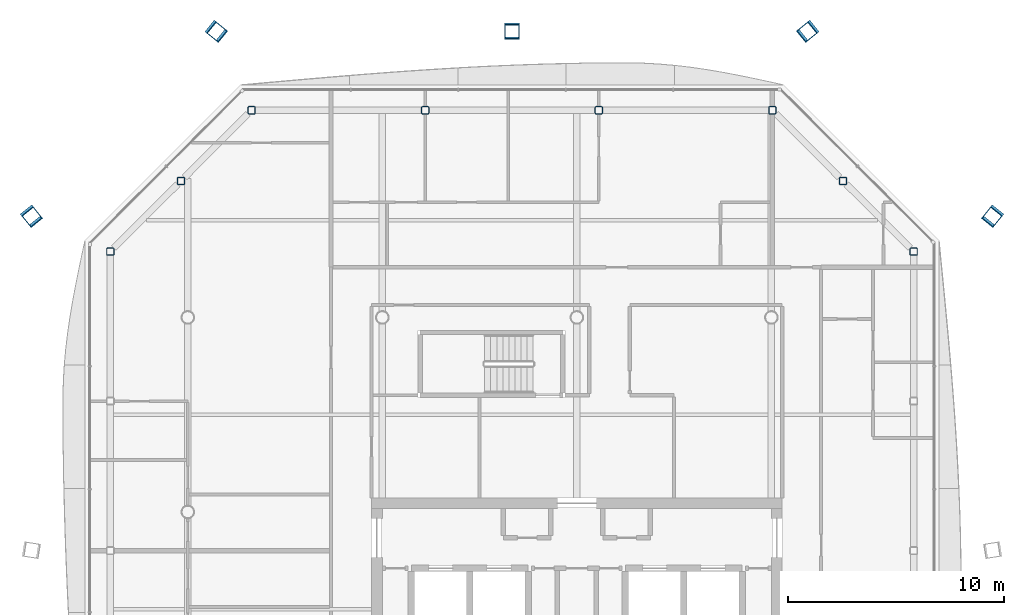
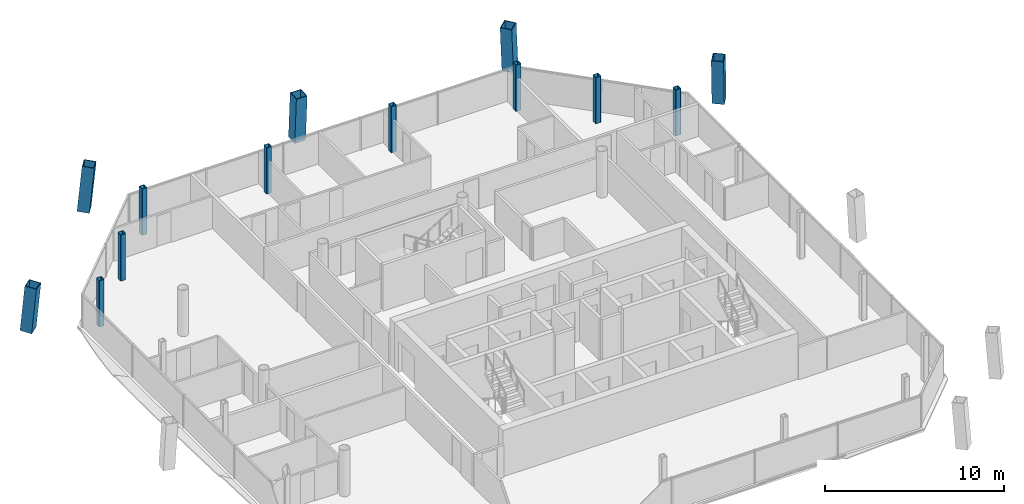
# One storey, part 2 of 19: 13 columns.
"""IFC4 building model written with IfcOpenShell, lengths in metres."""

from ifc_helpers import new_model, si_unit, direction, frame, origin, origin_2d, place, context, subcontext, project, spatial, hollow_rectangle, extrude, material, material_profile, profile_set, type_object, element, save


model = new_model("IFC4")

# Units and contexts
model_context = context("Model", 3, precision=1e-05, world=origin(), true_north=direction((0.0, 1.0)))
body_context = subcontext(model_context, "Body", "Model", "MODEL_VIEW")
ifc_project = project(units=[si_unit("LENGTHUNIT", "METRE"), si_unit("AREAUNIT", "SQUARE_METRE"), si_unit("VOLUMEUNIT", "CUBIC_METRE"), si_unit("PLANEANGLEUNIT", "RADIAN"), si_unit("MASSUNIT", "GRAM", prefix="KILO")], contexts=[model_context])

# Site, building, storey
site_placement = place(None, origin())
site = spatial("IfcSite", under=ifc_project, at=site_placement, CompositionType="ELEMENT")
building_placement = place(site_placement, origin())
building = spatial("IfcBuilding", under=site, at=building_placement, Name="Tskaro Facet Tower", CompositionType="ELEMENT")
storey_placement = place(building_placement, frame((0.0, 0.0, 206.85009765625)))
storey = spatial("IfcBuildingStorey", under=building, at=storey_placement, Name="L53", CompositionType="ELEMENT", Elevation=206.85009765625)

# Columns
ifc_material_1 = material(Name="Steel S460M", Category="steel")
ifc_material_profile_1 = material_profile(ifc_material_1, hollow_rectangle(XDim=0.699951171875, YDim=0.699951171875, WallThickness=0.044921875, at=origin_2d()), Name="BOX 700x700x45")
ifc_profile_set_1 = profile_set([ifc_material_profile_1], Name="Steel S460M")
column_type_1 = type_object("IfcColumnType", Name="BOX 700x700x45 mega column", PredefinedType="COLUMN", material=ifc_profile_set_1)
for number, where, z_axis, x_axis, name in (
    (1, (19.26806640625, 13.72412109375, 0.0), (-0.057849017136, -0.071801761107, 0.99573992504), (0.778707761143, -0.627386820659, 0.0), "BOX 700x700x45 MC06/4"),
    (2, (10.72412109375, 22.26806640625, 0.0), (-0.071801761107, -0.057849017136, 0.99573992504), (0.627386820659, -0.778707761143, 0.0), "BOX 700x700x45 MC07/4"),
):
    element("IfcColumn", number, at=place(storey_placement, frame(where, z_axis=z_axis, x_axis=x_axis)), inside=storey, type_object=column_type_1, Name=name, PredefinedType="COLUMN", context=body_context, shape_type="SweptSolid", body=[
        extrude(hollow_rectangle(XDim=0.699951171875, YDim=0.699951171875, WallThickness=0.044921875, at=origin_2d()), origin(), (0.0, 0.0, 1.0), 3.114501953125),
    ])
column_placement = place(storey_placement, frame((-3.0, 22.26806640625, 0.0), z_axis=(0.0, -0.057998041735, 0.998316696823), x_axis=(1.0, 0.0, 0.0)))
element("IfcColumn", 3, at=column_placement, inside=storey, type_object=column_type_1, Name="BOX 700x700x45 MC08/4", PredefinedType="COLUMN", context=body_context, shape_type="SweptSolid", body=[
    extrude(hollow_rectangle(XDim=0.699951171875, YDim=0.699951171875, WallThickness=0.044921875, at=origin_2d()), origin(), (0.0, 0.0, 1.0), 3.12353515625),
])
for number, where, z_axis, x_axis, name in (
    (4, (-16.72412109375, 22.26806640625, 0.0), (0.071801761107, -0.057849017136, 0.99573992504), (0.627386820659, 0.778707761143, 0.0), "BOX 700x700x45 MC09/4"),
    (5, (-25.26806640625, 13.72412109375, 0.0), (0.057849017136, -0.071801761107, 0.99573992504), (0.778707761143, 0.627386820659, 0.0), "BOX 700x700x45 MC10/4"),
):
    element("IfcColumn", number, at=place(storey_placement, frame(where, z_axis=z_axis, x_axis=x_axis)), inside=storey, type_object=column_type_1, Name=name, PredefinedType="COLUMN", context=body_context, shape_type="SweptSolid", body=[
        extrude(hollow_rectangle(XDim=0.699951171875, YDim=0.699951171875, WallThickness=0.044921875, at=origin_2d()), origin(), (0.0, 0.0, 1.0), 3.114501953125),
    ])
ifc_material_2 = material(Name="Steel S355J2H", Category="steel")
ifc_material_profile_2 = material_profile(ifc_material_2, hollow_rectangle(XDim=0.35009765625, YDim=0.35009765625, WallThickness=0.02001953125, InnerFilletRadius=0.030029296875, OuterFilletRadius=0.050048828125, at=origin_2d()), Name="SHS 350x350x20")
ifc_profile_set_2 = profile_set([ifc_material_profile_2], Name="Steel S355J2H")
column_type_2 = type_object("IfcColumnType", Name="SHS 350x350x20 ring column", PredefinedType="COLUMN", material=ifc_profile_set_2)
for number, where, z_axis, x_axis, name in (
    (6, (15.5830078125, 12.0458984375, 0.0), (0.0, 0.0, 1.0), (1.0, 0.0, 0.0), "SHS 350x350x20 RNE-1/4"),
    (7, (12.31396484375, 15.31396484375, 0.0), (0.0, 0.0, 1.0), (1.0, 0.0, 0.0), "SHS 350x350x20 RNE-2/4"),
    (8, (9.0458984375, 18.5830078125, 0.0), (0.0, 0.0, 1.0), (1.0, 0.0, 0.0), "SHS 350x350x20 RN-1/4"),
    (9, (1.014892578125, 18.5830078125, 0.0), (0.0, 0.0, 1.0), (1.0, 0.0, 0.0), "SHS 350x350x20 RN-2/4"),
    (10, (-7.014892578125, 18.5830078125, 0.0), (0.0, 0.0, 1.0), (1.0, 0.0, 0.0), "SHS 350x350x20 RN-3/4"),
    (11, (-15.0458984375, 18.5830078125, 0.0), (0.0, 0.0, 1.0), (1.0, 0.0, 0.0), "SHS 350x350x20 RNW-1/4"),
    (12, (-18.31396484375, 15.31396484375, 0.0), (0.0, 0.0, 1.0), (1.0, 0.0, 0.0), "SHS 350x350x20 RNW-2/4"),
    (13, (-21.5830078125, 12.0458984375, 0.0), (0.0, 0.0, 1.0), (1.0, 0.0, 0.0), "SHS 350x350x20 RW-1/4"),
):
    element("IfcColumn", number, at=place(storey_placement, frame(where, z_axis=z_axis, x_axis=x_axis)), inside=storey, type_object=column_type_2, Name=name, PredefinedType="COLUMN", context=body_context, shape_type="SweptSolid", body=[
        extrude(hollow_rectangle(XDim=0.35009765625, YDim=0.35009765625, WallThickness=0.02001953125, InnerFilletRadius=0.030029296875, OuterFilletRadius=0.050048828125, at=origin_2d()), origin(), (0.0, 0.0, 1.0), 3.14990234375),
    ])

save(model, "model.ifc")
